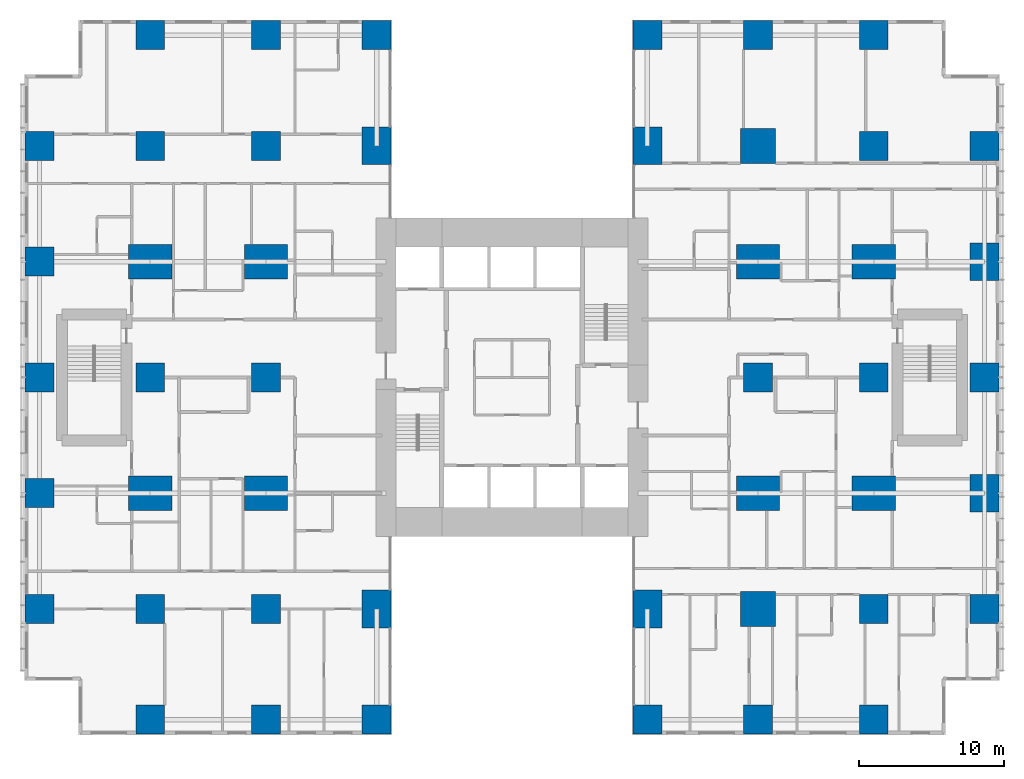
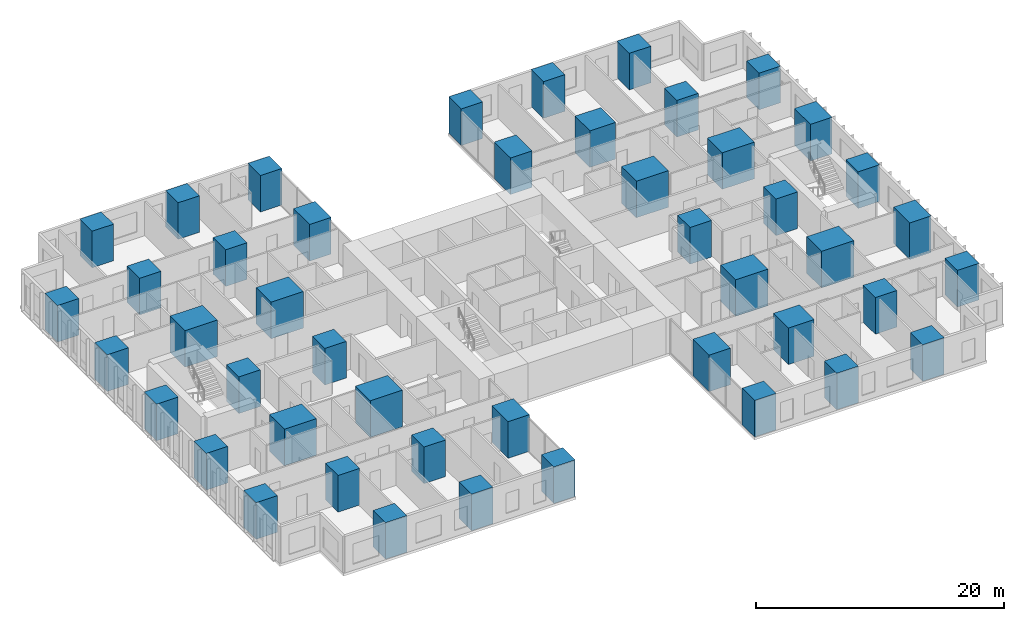
# One storey, part 1 of 20: 46 columns.
"""IFC4 building model written with IfcOpenShell, lengths in metres."""

from ifc_helpers import new_model, si_unit, direction, frame, origin, origin_2d, place, context, subcontext, project, spatial, rectangle, extrude, material, material_profile, profile_set, type_object, element, save


model = new_model("IFC4")

# Units and contexts
model_context = context("Model", 3, precision=1e-05, world=origin(), true_north=direction((0.0, 1.0)))
body_context = subcontext(model_context, "Body", "Model", "MODEL_VIEW")
ifc_project = project(units=[si_unit("LENGTHUNIT", "METRE"), si_unit("AREAUNIT", "SQUARE_METRE"), si_unit("VOLUMEUNIT", "CUBIC_METRE"), si_unit("PLANEANGLEUNIT", "RADIAN"), si_unit("MASSUNIT", "GRAM", prefix="KILO")], contexts=[model_context])

# Site, building, storey
site_placement = place(None, origin())
site = spatial("IfcSite", under=ifc_project, at=site_placement, CompositionType="ELEMENT")
building_placement = place(site_placement, origin())
building = spatial("IfcBuilding", under=site, at=building_placement, Name="Cleftline Residences", CompositionType="ELEMENT")
storey_placement = place(building_placement, frame((0.0, 0.0, 47.60009765625)))
storey = spatial("IfcBuildingStorey", under=building, at=storey_placement, Name="L11", CompositionType="ELEMENT", Elevation=47.60009765625)

# Columns
ifc_material_1 = material(Name="Concrete B70", Category="concrete")
ifc_material_profile_1 = material_profile(ifc_material_1, rectangle(XDim=2.0, YDim=2.0, at=origin_2d()))
ifc_profile_set_1 = profile_set([ifc_material_profile_1], Name="Concrete B70")
column_type_1 = type_object("IfcColumnType", Name="COLUMN RC2000X2000", PredefinedType="COLUMN", material=ifc_profile_set_1)
for number, where, z_axis, x_axis, name in (
    (1, (0.35009765625, 8.0, 0.0), (0.0, 0.0, 1.0), (1.0, 0.0, 0.0), "Column D/3"),
    (2, (0.35009765625, 16.0, 0.0), (0.0, 0.0, 1.0), (1.0, 0.0, 0.0), "Column E/3"),
    (3, (0.35009765625, 24.0, 0.0), (0.0, 0.0, 1.0), (1.0, 0.0, 0.0), "Column F/3"),
    (4, (0.35009765625, 32.0, 0.0), (0.0, 0.0, 1.0), (1.0, 0.0, 0.0), "Column G/3"),
    (5, (0.35009765625, 40.0, 0.0), (0.0, 0.0, 1.0), (1.0, 0.0, 0.0), "Column H/3"),
    (6, (8.0, 0.35009765625, 0.0), (0.0, 0.0, 1.0), (1.0, 0.0, 0.0), "Column C/4"),
    (7, (8.0, 8.0, 0.0), (0.0, 0.0, 1.0), (1.0, 0.0, 0.0), "Column D/4"),
    (8, (8.0, 24.0, 0.0), (0.0, 0.0, 1.0), (1.0, 0.0, 0.0), "Column F/4"),
    (9, (8.0, 40.0, 0.0), (0.0, 0.0, 1.0), (1.0, 0.0, 0.0), "Column H/4"),
    (10, (8.0, 47.64990234375, 0.0), (0.0, 0.0, 1.0), (1.0, 0.0, 0.0), "Column J/4"),
    (11, (16.0, 0.35009765625, 0.0), (0.0, 0.0, 1.0), (1.0, 0.0, 0.0), "Column C/5"),
    (12, (16.0, 8.0, 0.0), (0.0, 0.0, 1.0), (1.0, 0.0, 0.0), "Column D/5"),
    (13, (16.0, 24.0, 0.0), (0.0, 0.0, 1.0), (1.0, 0.0, 0.0), "Column F/5"),
    (14, (16.0, 40.0, 0.0), (0.0, 0.0, 1.0), (1.0, 0.0, 0.0), "Column H/5"),
    (15, (16.0, 47.64990234375, 0.0), (0.0, 0.0, 1.0), (1.0, 0.0, 0.0), "Column J/5"),
    (16, (23.64990234375, 0.35009765625, 0.0), (0.0, 0.0, 1.0), (1.0, 0.0, 0.0), "Column C/6"),
    (17, (23.64990234375, 47.64990234375, 0.0), (0.0, 0.0, 1.0), (1.0, 0.0, 0.0), "Column J/6"),
    (18, (42.35009765625, 0.35009765625, 0.0), (0.0, 0.0, 1.0), (1.0, 0.0, 0.0), "Column C/8"),
    (19, (42.35009765625, 47.64990234375, 0.0), (0.0, 0.0, 1.0), (1.0, 0.0, 0.0), "Column J/8"),
    (20, (50.0, 0.35009765625, 0.0), (0.0, 0.0, 1.0), (1.0, 0.0, 0.0), "Column C/9"),
    (21, (50.0, 24.0, 0.0), (0.0, 0.0, 1.0), (1.0, 0.0, 0.0), "Column F/9"),
    (22, (50.0, 47.64990234375, 0.0), (0.0, 0.0, 1.0), (1.0, 0.0, 0.0), "Column J/9"),
    (23, (58.0, 0.35009765625, 0.0), (0.0, 0.0, 1.0), (1.0, 0.0, 0.0), "Column C/10"),
    (24, (58.0, 8.0, 0.0), (0.0, 0.0, 1.0), (1.0, 0.0, 0.0), "Column D/10"),
    (25, (58.0, 24.0, 0.0), (0.0, 0.0, 1.0), (1.0, 0.0, 0.0), "Column F/10"),
    (26, (58.0, 40.0, 0.0), (0.0, 0.0, 1.0), (1.0, 0.0, 0.0), "Column H/10"),
    (27, (58.0, 47.64990234375, 0.0), (0.0, 0.0, 1.0), (1.0, 0.0, 0.0), "Column J/10"),
    (28, (65.64990234375, 8.0, 0.0), (0.0, 0.0, 1.0), (1.0, 0.0, 0.0), "Column D/11"),
    (29, (65.64990234375, 24.0, 0.0), (0.0, 0.0, 1.0), (1.0, 0.0, 0.0), "Column F/11"),
    (30, (65.64990234375, 40.0, 0.0), (0.0, 0.0, 1.0), (1.0, 0.0, 0.0), "Column H/11"),
):
    element("IfcColumn", number, at=place(storey_placement, frame(where, z_axis=z_axis, x_axis=x_axis)), inside=storey, type_object=column_type_1, Name=name, PredefinedType="COLUMN", context=body_context, shape_type="SweptSolid", body=[
        extrude(rectangle(XDim=2.0, YDim=2.0, at=origin_2d()), origin(), (0.0, 0.0, 1.0), 3.599853515625),
    ])
ifc_material_2 = material(Name="Concrete B70", Category="concrete")
ifc_material_profile_2 = material_profile(ifc_material_2, rectangle(XDim=2.0, YDim=2.60009765625, at=origin_2d()))
ifc_profile_set_2 = profile_set([ifc_material_profile_2], Name="Concrete B70")
column_type_2 = type_object("IfcColumnType", Name="COLUMN RC2000X2600", PredefinedType="COLUMN", material=ifc_profile_set_2)
for number, where, z_axis, x_axis, name in (
    (31, (23.64990234375, 8.0, 0.0), (0.0, 0.0, 1.0), (1.0, 0.0, 0.0), "Column D/6"),
    (32, (23.64990234375, 40.0, 0.0), (0.0, 0.0, 1.0), (1.0, 0.0, 0.0), "Column H/6"),
    (33, (42.35009765625, 8.0, 0.0), (0.0, 0.0, 1.0), (1.0, 0.0, 0.0), "Column D/8"),
    (34, (42.35009765625, 40.0, 0.0), (0.0, 0.0, 1.0), (1.0, 0.0, 0.0), "Column H/8"),
):
    element("IfcColumn", number, at=place(storey_placement, frame(where, z_axis=z_axis, x_axis=x_axis)), inside=storey, type_object=column_type_2, Name=name, PredefinedType="COLUMN", context=body_context, shape_type="SweptSolid", body=[
        extrude(rectangle(XDim=2.0, YDim=2.60009765625, at=origin_2d()), origin(), (0.0, 0.0, 1.0), 3.599853515625),
    ])
ifc_material_3 = material(Name="Concrete B70", Category="concrete")
ifc_material_profile_3 = material_profile(ifc_material_3, rectangle(XDim=2.39990234375, YDim=2.39990234375, at=origin_2d()))
ifc_profile_set_3 = profile_set([ifc_material_profile_3], Name="Concrete B70")
column_type_3 = type_object("IfcColumnType", Name="COLUMN RC2400X2400", PredefinedType="COLUMN", material=ifc_profile_set_3)
for number, where, z_axis, x_axis, name in (
    (35, (50.0, 8.0, 0.0), (0.0, 0.0, 1.0), (1.0, 0.0, 0.0), "Column D/9"),
    (36, (50.0, 40.0, 0.0), (0.0, 0.0, 1.0), (1.0, 0.0, 0.0), "Column H/9"),
):
    element("IfcColumn", number, at=place(storey_placement, frame(where, z_axis=z_axis, x_axis=x_axis)), inside=storey, type_object=column_type_3, Name=name, PredefinedType="COLUMN", context=body_context, shape_type="SweptSolid", body=[
        extrude(rectangle(XDim=2.39990234375, YDim=2.39990234375, at=origin_2d()), origin(), (0.0, 0.0, 1.0), 3.599853515625),
    ])
ifc_material_4 = material(Name="Concrete B70", Category="concrete")
ifc_material_profile_4 = material_profile(ifc_material_4, rectangle(XDim=2.60009765625, YDim=2.0, at=origin_2d()))
ifc_profile_set_4 = profile_set([ifc_material_profile_4], Name="Concrete B70")
column_type_4 = type_object("IfcColumnType", Name="COLUMN RC2600X2000", PredefinedType="COLUMN", material=ifc_profile_set_4)
for number, where, z_axis, x_axis, name in (
    (37, (65.64990234375, 16.0, 0.0), (0.0, 0.0, 1.0), (0.0, 1.0, 0.0), "Column E/11"),
    (38, (65.64990234375, 32.0, 0.0), (0.0, 0.0, 1.0), (0.0, 1.0, 0.0), "Column G/11"),
):
    element("IfcColumn", number, at=place(storey_placement, frame(where, z_axis=z_axis, x_axis=x_axis)), inside=storey, type_object=column_type_4, Name=name, PredefinedType="COLUMN", context=body_context, shape_type="SweptSolid", body=[
        extrude(rectangle(XDim=2.60009765625, YDim=2.0, at=origin_2d()), origin(), (0.0, 0.0, 1.0), 3.599853515625),
    ])
ifc_material_5 = material(Name="Concrete B70", Category="concrete")
ifc_material_profile_5 = material_profile(ifc_material_5, rectangle(XDim=3.0, YDim=2.39990234375, at=origin_2d()))
ifc_profile_set_5 = profile_set([ifc_material_profile_5], Name="Concrete B70")
column_type_5 = type_object("IfcColumnType", Name="COLUMN RC3000X2400", PredefinedType="COLUMN", material=ifc_profile_set_5)
for number, where, z_axis, x_axis, name in (
    (39, (8.0, 16.0, 0.0), (0.0, 0.0, 1.0), (1.0, 0.0, 0.0), "Column E/4"),
    (40, (8.0, 32.0, 0.0), (0.0, 0.0, 1.0), (1.0, 0.0, 0.0), "Column G/4"),
    (41, (16.0, 16.0, 0.0), (0.0, 0.0, 1.0), (1.0, 0.0, 0.0), "Column E/5"),
    (42, (16.0, 32.0, 0.0), (0.0, 0.0, 1.0), (1.0, 0.0, 0.0), "Column G/5"),
    (43, (50.0, 16.0, 0.0), (0.0, 0.0, 1.0), (1.0, 0.0, 0.0), "Column E/9"),
    (44, (50.0, 32.0, 0.0), (0.0, 0.0, 1.0), (1.0, 0.0, 0.0), "Column G/9"),
    (45, (58.0, 16.0, 0.0), (0.0, 0.0, 1.0), (1.0, 0.0, 0.0), "Column E/10"),
    (46, (58.0, 32.0, 0.0), (0.0, 0.0, 1.0), (1.0, 0.0, 0.0), "Column G/10"),
):
    element("IfcColumn", number, at=place(storey_placement, frame(where, z_axis=z_axis, x_axis=x_axis)), inside=storey, type_object=column_type_5, Name=name, PredefinedType="COLUMN", context=body_context, shape_type="SweptSolid", body=[
        extrude(rectangle(XDim=3.0, YDim=2.39990234375, at=origin_2d()), origin(), (0.0, 0.0, 1.0), 3.599853515625),
    ])

save(model, "model.ifc")
